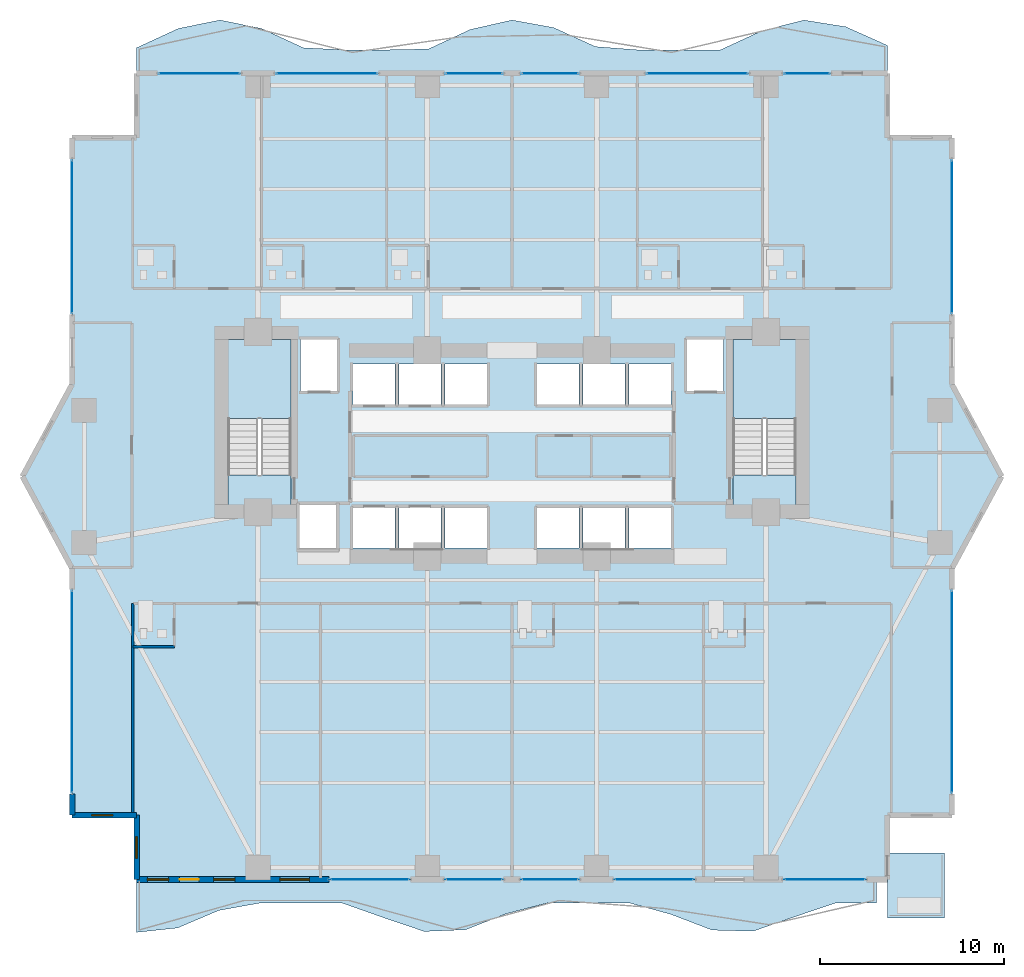
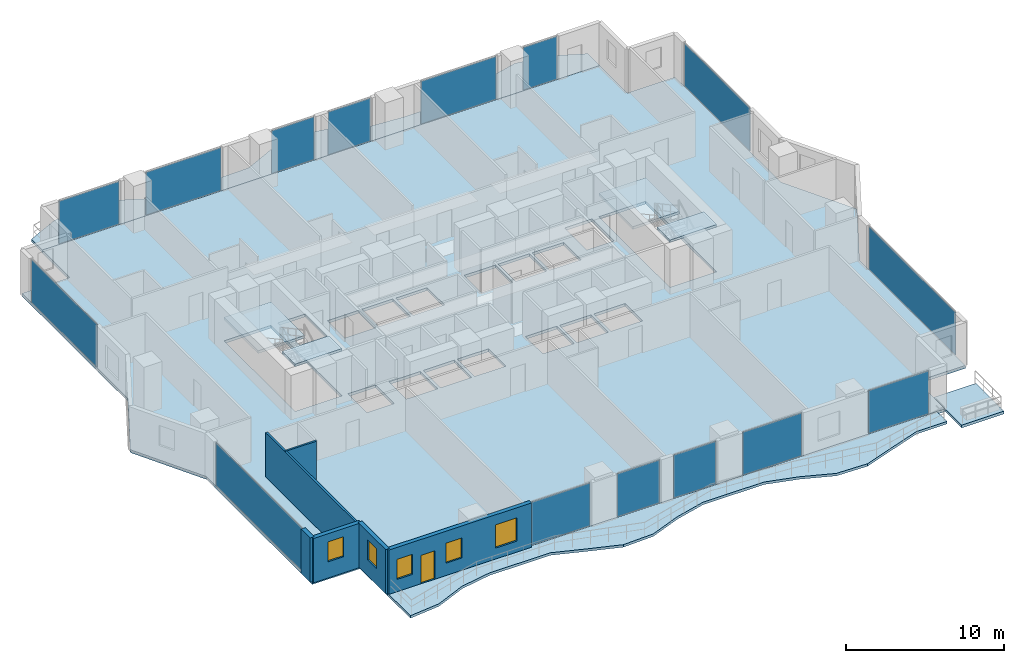
# One storey, part 20 of 30: 15 plates, 8 slabs, 6 walls, 5 windows, 1 door, 6 openings, 17 elements without a shape of their own.
"""IFC4 building model written with IfcOpenShell, lengths in metres."""

from ifc_helpers import new_model, si_unit, direction, frame, frame_2d, origin, origin_2d, place, context, subcontext, project, spatial, polyline, rectangle, outline, extrude, material, layer, layer_set, type_object, element, fill, aggregate, save


model = new_model("IFC4")

# Units and contexts
model_context = context("Model", 3, precision=1e-05, world=origin(), true_north=direction((0.0, 1.0)))
body_context = subcontext(model_context, "Body", "Model", "MODEL_VIEW")
ifc_project = project(units=[si_unit("LENGTHUNIT", "METRE"), si_unit("AREAUNIT", "SQUARE_METRE"), si_unit("VOLUMEUNIT", "CUBIC_METRE"), si_unit("PLANEANGLEUNIT", "RADIAN"), si_unit("MASSUNIT", "GRAM", prefix="KILO")], contexts=[model_context])

# Site, building, storey
site_placement = place(None, origin())
site = spatial("IfcSite", under=ifc_project, at=site_placement, CompositionType="ELEMENT")
building_placement = place(site_placement, origin())
building = spatial("IfcBuilding", under=site, at=building_placement, Name="Zuhayl Quay Hotel", CompositionType="ELEMENT")
storey_placement = place(building_placement, frame((0.0, 0.0, 135.800048828125)))
storey = spatial("IfcBuildingStorey", under=building, at=storey_placement, Name="L34", CompositionType="ELEMENT", Elevation=135.800048828125)

# Curtain wall, plate
ifc_material_1 = material(Name="Anodised Aluminium 6063-T6", Category="aluminium")
ifc_layer_1 = layer(ifc_material_1, 0.179931640625, Name="Anodised Aluminium 6063-T6", Category="aluminium")
ifc_layer_set_1 = layer_set([ifc_layer_1], Name="Anodised Aluminium 6063-T6")
curtain_wall_type = type_object("IfcCurtainWallType", Name="CW_SYS_Z2", PredefinedType="USERDEFINED", material=ifc_layer_set_1)
curtain_wall_1_placement = place(storey_placement, origin())
curtain_wall_1 = element("IfcCurtainWall", 1, at=curtain_wall_1_placement, inside=storey, type_object=curtain_wall_type, Name="L34 Curtain Wall ENV_L34_E02_CW1", ObjectType="UNITISED CURTAIN WALL", PredefinedType="USERDEFINED")
ifc_material_2 = material(Name="Dark Ceramic-Fritted Solar Glass", Category="glass")
ifc_layer_2 = layer(ifc_material_2, 0.035888671875, Name="Dark Ceramic-Fritted Solar Glass", Category="glass")
ifc_layer_set_2 = layer_set([ifc_layer_2], Name="Dark Ceramic-Fritted Solar Glass")
plate_type = type_object("IfcPlateType", Name="PN_DARK_FRIT_Z1", PredefinedType="CURTAIN_PANEL", material=ifc_layer_set_2)
plate_1_placement = place(storey_placement, frame((-23.89990234375, -5.199951171875, 0.059814453125), z_axis=(0.0, 0.0, 1.0), x_axis=(0.0, 1.0, 0.0)))
plate_1 = element("IfcPlate", 2, at=plate_1_placement, type_object=plate_type, Name="CW-Z2 panel 1.1", PredefinedType="CURTAIN_PANEL", context=body_context, shape_type="SweptSolid", body=[
    extrude(rectangle(XDim=10.969970703125, YDim=0.035888671875, at=origin_2d()), origin(), (0.0, 0.0, 1.0), 3.31005859375),
])
aggregate(curtain_wall_1, [plate_1])

curtain_wall_2_placement = place(storey_placement, origin())
curtain_wall_2 = element("IfcCurtainWall", 3, at=curtain_wall_2_placement, inside=storey, type_object=curtain_wall_type, Name="L34 Curtain Wall ENV_L34_E05_CW1", ObjectType="UNITISED CURTAIN WALL", PredefinedType="USERDEFINED")
plate_2_placement = place(storey_placement, frame((-23.89990234375, 19.52490234375, 0.059814453125), z_axis=(0.0, 0.0, 1.0), x_axis=(0.0, 1.0, 0.0)))
plate_2 = element("IfcPlate", 4, at=plate_2_placement, type_object=plate_type, Name="CW-Z2 panel 1.1", PredefinedType="CURTAIN_PANEL", context=body_context, shape_type="SweptSolid", body=[
    extrude(rectangle(XDim=8.320068359375, YDim=0.035888671875, at=origin_2d()), origin(), (0.0, 0.0, 1.0), 3.31005859375),
])
aggregate(curtain_wall_2, [plate_2])

curtain_wall_3_placement = place(storey_placement, origin())
curtain_wall_3 = element("IfcCurtainWall", 5, at=curtain_wall_3_placement, inside=storey, type_object=curtain_wall_type, Name="L34 Curtain Wall ENV_L34_N_CW1", ObjectType="UNITISED CURTAIN WALL", PredefinedType="USERDEFINED")
plate_3_placement = place(storey_placement, frame((-16.985107421875, 28.39990234375, 0.059814453125), z_axis=(0.0, 0.0, 1.0), x_axis=(1.0, 0.0, 0.0)))
plate_3 = element("IfcPlate", 6, at=plate_3_placement, type_object=plate_type, Name="CW-Z2 panel 1.1", PredefinedType="CURTAIN_PANEL", context=body_context, shape_type="SweptSolid", body=[
    extrude(rectangle(XDim=4.39990234375, YDim=0.035888671875, at=origin_2d()), origin(), (0.0, 0.0, 1.0), 3.31005859375),
])
aggregate(curtain_wall_3, [plate_3])

curtain_wall_4_placement = place(storey_placement, origin())
curtain_wall_4 = element("IfcCurtainWall", 7, at=curtain_wall_4_placement, inside=storey, type_object=curtain_wall_type, Name="L34 Curtain Wall ENV_L34_N_CW2", ObjectType="UNITISED CURTAIN WALL", PredefinedType="USERDEFINED")
plate_4_placement = place(storey_placement, frame((-10.06494140625, 28.39990234375, 0.059814453125), z_axis=(0.0, 0.0, 1.0), x_axis=(1.0, 0.0, 0.0)))
plate_4 = element("IfcPlate", 8, at=plate_4_placement, type_object=plate_type, Name="CW-Z2 panel 1.1", PredefinedType="CURTAIN_PANEL", context=body_context, shape_type="SweptSolid", body=[
    extrude(rectangle(XDim=5.5, YDim=0.035888671875, at=origin_2d()), origin(), (0.0, 0.0, 1.0), 3.31005859375),
])
aggregate(curtain_wall_4, [plate_4])

curtain_wall_5_placement = place(storey_placement, origin())
curtain_wall_5 = element("IfcCurtainWall", 9, at=curtain_wall_5_placement, inside=storey, type_object=curtain_wall_type, Name="L34 Curtain Wall ENV_L34_N_CW3", ObjectType="UNITISED CURTAIN WALL", PredefinedType="USERDEFINED")
plate_5_placement = place(storey_placement, frame((-2.06494140625, 28.39990234375, 0.059814453125), z_axis=(0.0, 0.0, 1.0), x_axis=(1.0, 0.0, 0.0)))
plate_5 = element("IfcPlate", 10, at=plate_5_placement, type_object=plate_type, Name="CW-Z2 panel 1.1", PredefinedType="CURTAIN_PANEL", context=body_context, shape_type="SweptSolid", body=[
    extrude(rectangle(XDim=3.10009765625, YDim=0.035888671875, at=origin_2d()), origin(), (0.0, 0.0, 1.0), 3.31005859375),
])
aggregate(curtain_wall_5, [plate_5])

curtain_wall_6_placement = place(storey_placement, origin())
curtain_wall_6 = element("IfcCurtainWall", 11, at=curtain_wall_6_placement, inside=storey, type_object=curtain_wall_type, Name="L34 Curtain Wall ENV_L34_N_CW4", ObjectType="UNITISED CURTAIN WALL", PredefinedType="USERDEFINED")
plate_6_placement = place(storey_placement, frame((2.06494140625, 28.39990234375, 0.059814453125), z_axis=(0.0, 0.0, 1.0), x_axis=(1.0, 0.0, 0.0)))
plate_6 = element("IfcPlate", 12, at=plate_6_placement, type_object=plate_type, Name="CW-Z2 panel 1.1", PredefinedType="CURTAIN_PANEL", context=body_context, shape_type="SweptSolid", body=[
    extrude(rectangle(XDim=3.10009765625, YDim=0.035888671875, at=origin_2d()), origin(), (0.0, 0.0, 1.0), 3.31005859375),
])
aggregate(curtain_wall_6, [plate_6])

curtain_wall_7_placement = place(storey_placement, origin())
curtain_wall_7 = element("IfcCurtainWall", 13, at=curtain_wall_7_placement, inside=storey, type_object=curtain_wall_type, Name="L34 Curtain Wall ENV_L34_N_CW5", ObjectType="UNITISED CURTAIN WALL", PredefinedType="USERDEFINED")
plate_7_placement = place(storey_placement, frame((10.06494140625, 28.39990234375, 0.059814453125), z_axis=(0.0, 0.0, 1.0), x_axis=(1.0, 0.0, 0.0)))
plate_7 = element("IfcPlate", 14, at=plate_7_placement, type_object=plate_type, Name="CW-Z2 panel 1.1", PredefinedType="CURTAIN_PANEL", context=body_context, shape_type="SweptSolid", body=[
    extrude(rectangle(XDim=5.5, YDim=0.035888671875, at=origin_2d()), origin(), (0.0, 0.0, 1.0), 3.31005859375),
])
aggregate(curtain_wall_7, [plate_7])

curtain_wall_8_placement = place(storey_placement, origin())
curtain_wall_8 = element("IfcCurtainWall", 15, at=curtain_wall_8_placement, inside=storey, type_object=curtain_wall_type, Name="L34 Curtain Wall ENV_L34_N_CW6", ObjectType="UNITISED CURTAIN WALL", PredefinedType="USERDEFINED")
plate_8_placement = place(storey_placement, frame((16.0224609375, 28.39990234375, 0.059814453125), z_axis=(0.0, 0.0, 1.0), x_axis=(1.0, 0.0, 0.0)))
plate_8 = element("IfcPlate", 16, at=plate_8_placement, type_object=plate_type, Name="CW-Z2 panel 1.1", PredefinedType="CURTAIN_PANEL", context=body_context, shape_type="SweptSolid", body=[
    extrude(rectangle(XDim=2.47509765625, YDim=0.035888671875, at=origin_2d()), origin(), (0.0, 0.0, 1.0), 3.31005859375),
])
aggregate(curtain_wall_8, [plate_8])

curtain_wall_9_placement = place(storey_placement, origin())
curtain_wall_9 = element("IfcCurtainWall", 17, at=curtain_wall_9_placement, inside=storey, type_object=curtain_wall_type, Name="L34 Curtain Wall ENV_L34_E11_CW1", ObjectType="UNITISED CURTAIN WALL", PredefinedType="USERDEFINED")
plate_9_placement = place(storey_placement, frame((23.89990234375, 19.52490234375, 0.059814453125), z_axis=(0.0, 0.0, 1.0), x_axis=(0.0, -1.0, 0.0)))
plate_9 = element("IfcPlate", 18, at=plate_9_placement, type_object=plate_type, Name="CW-Z2 panel 1.1", PredefinedType="CURTAIN_PANEL", context=body_context, shape_type="SweptSolid", body=[
    extrude(rectangle(XDim=8.320068359375, YDim=0.035888671875, at=origin_2d()), origin(), (0.0, 0.0, 1.0), 3.31005859375),
])
aggregate(curtain_wall_9, [plate_9])

curtain_wall_10_placement = place(storey_placement, origin())
curtain_wall_10 = element("IfcCurtainWall", 19, at=curtain_wall_10_placement, inside=storey, type_object=curtain_wall_type, Name="L34 Curtain Wall ENV_L34_E14_CW1", ObjectType="UNITISED CURTAIN WALL", PredefinedType="USERDEFINED")
plate_10_placement = place(storey_placement, frame((23.89990234375, -5.199951171875, 0.059814453125), z_axis=(0.0, 0.0, 1.0), x_axis=(0.0, -1.0, 0.0)))
plate_10 = element("IfcPlate", 20, at=plate_10_placement, type_object=plate_type, Name="CW-Z2 panel 1.1", PredefinedType="CURTAIN_PANEL", context=body_context, shape_type="SweptSolid", body=[
    extrude(rectangle(XDim=10.969970703125, YDim=0.035888671875, at=origin_2d()), origin(), (0.0, 0.0, 1.0), 3.31005859375),
])
aggregate(curtain_wall_10, [plate_10])

curtain_wall_11_placement = place(storey_placement, origin())
curtain_wall_11 = element("IfcCurtainWall", 21, at=curtain_wall_11_placement, inside=storey, type_object=curtain_wall_type, Name="L34 Curtain Wall ENV_L34_S_CW1", ObjectType="UNITISED CURTAIN WALL", PredefinedType="USERDEFINED")
plate_11_placement = place(storey_placement, frame((16.985107421875, -15.39990234375, 0.059814453125), z_axis=(0.0, 0.0, 1.0), x_axis=(-1.0, 0.0, 0.0)))
plate_11 = element("IfcPlate", 22, at=plate_11_placement, type_object=plate_type, Name="CW-Z2 panel 1.1", PredefinedType="CURTAIN_PANEL", context=body_context, shape_type="SweptSolid", body=[
    extrude(rectangle(XDim=4.39990234375, YDim=0.035888671875, at=origin_2d()), origin(), (0.0, 0.0, 1.0), 3.31005859375),
])
aggregate(curtain_wall_11, [plate_11])

curtain_wall_12_placement = place(storey_placement, origin())
curtain_wall_12 = element("IfcCurtainWall", 23, at=curtain_wall_12_placement, inside=storey, type_object=curtain_wall_type, Name="L34 Curtain Wall ENV_L34_S_CW2", ObjectType="UNITISED CURTAIN WALL", PredefinedType="USERDEFINED")
plate_12_placement = place(storey_placement, frame((7.735107421875, -15.39990234375, 0.059814453125), z_axis=(0.0, 0.0, 1.0), x_axis=(-1.0, 0.0, 0.0)))
plate_12 = element("IfcPlate", 24, at=plate_12_placement, type_object=plate_type, Name="CW-Z2 panel 1.1", PredefinedType="CURTAIN_PANEL", context=body_context, shape_type="SweptSolid", body=[
    extrude(rectangle(XDim=4.300048828125, YDim=0.035888671875, at=origin_2d()), origin(), (0.0, 0.0, 1.0), 3.31005859375),
])
aggregate(curtain_wall_12, [plate_12])

curtain_wall_13_placement = place(storey_placement, origin())
curtain_wall_13 = element("IfcCurtainWall", 25, at=curtain_wall_13_placement, inside=storey, type_object=curtain_wall_type, Name="L34 Curtain Wall ENV_L34_S_CW3", ObjectType="UNITISED CURTAIN WALL", PredefinedType="USERDEFINED")
plate_13_placement = place(storey_placement, frame((2.06494140625, -15.39990234375, 0.059814453125), z_axis=(0.0, 0.0, 1.0), x_axis=(-1.0, 0.0, 0.0)))
plate_13 = element("IfcPlate", 26, at=plate_13_placement, type_object=plate_type, Name="CW-Z2 panel 1.1", PredefinedType="CURTAIN_PANEL", context=body_context, shape_type="SweptSolid", body=[
    extrude(rectangle(XDim=3.10009765625, YDim=0.035888671875, at=origin_2d()), origin(), (0.0, 0.0, 1.0), 3.31005859375),
])
aggregate(curtain_wall_13, [plate_13])

curtain_wall_14_placement = place(storey_placement, origin())
curtain_wall_14 = element("IfcCurtainWall", 27, at=curtain_wall_14_placement, inside=storey, type_object=curtain_wall_type, Name="L34 Curtain Wall ENV_L34_S_CW4", ObjectType="UNITISED CURTAIN WALL", PredefinedType="USERDEFINED")
plate_14_placement = place(storey_placement, frame((-2.06494140625, -15.39990234375, 0.059814453125), z_axis=(0.0, 0.0, 1.0), x_axis=(-1.0, 0.0, 0.0)))
plate_14 = element("IfcPlate", 28, at=plate_14_placement, type_object=plate_type, Name="CW-Z2 panel 1.1", PredefinedType="CURTAIN_PANEL", context=body_context, shape_type="SweptSolid", body=[
    extrude(rectangle(XDim=3.10009765625, YDim=0.035888671875, at=origin_2d()), origin(), (0.0, 0.0, 1.0), 3.31005859375),
])
aggregate(curtain_wall_14, [plate_14])

curtain_wall_15_placement = place(storey_placement, origin())
curtain_wall_15 = element("IfcCurtainWall", 29, at=curtain_wall_15_placement, inside=storey, type_object=curtain_wall_type, Name="L34 Curtain Wall ENV_L34_S_CW5", ObjectType="UNITISED CURTAIN WALL", PredefinedType="USERDEFINED")
plate_15_placement = place(storey_placement, frame((-7.735107421875, -15.39990234375, 0.059814453125), z_axis=(0.0, 0.0, 1.0), x_axis=(-1.0, 0.0, 0.0)))
plate_15 = element("IfcPlate", 30, at=plate_15_placement, type_object=plate_type, Name="CW-Z2 panel 1.1", PredefinedType="CURTAIN_PANEL", context=body_context, shape_type="SweptSolid", body=[
    extrude(rectangle(XDim=4.300048828125, YDim=0.035888671875, at=origin_2d()), origin(), (0.0, 0.0, 1.0), 3.31005859375),
])
aggregate(curtain_wall_15, [plate_15])

# Slabs
ifc_material_3 = material(Name="Concrete C45/55", Category="concrete")
ifc_layer_3 = layer(ifc_material_3, 0.195068359375, Name="Concrete C45/55", Category="concrete")
ifc_layer_set_3 = layer_set([ifc_layer_3], Name="Concrete C45/55")
slab_type_1 = type_object("IfcSlabType", Name="SL_BALCONY_195", PredefinedType="FLOOR", material=ifc_layer_set_3)
slab_1_placement = place(storey_placement, frame((0.0, 0.0, -0.195068359375)))
element("IfcSlab", 31, at=slab_1_placement, inside=storey, type_object=slab_type_1, Name="L34 Exterior Rippling Balcony Slab North", PredefinedType="FLOOR", context=body_context, shape_type="SweptSolid", body=[
    extrude(outline(polyline([(-20.39990234375, 28.39990234375), (20.39990234375, 28.39990234375), (20.39990234375, 29.919189453125), (18.13330078125, 30.933837890625), (15.86669921875, 31.293212890625), (13.60009765625, 30.730712890625), (11.333251953125, 29.679931640625), (9.066650390625, 29.679931640625), (6.800048828125, 29.679931640625), (4.533203125, 29.8544921875), (2.2666015625, 30.886474609375), (0.0, 31.29833984375), (-2.2666015625, 30.78466796875), (-4.533203125, 29.7265625), (-6.800048828125, 29.679931640625), (-9.066650390625, 29.679931640625), (-11.333251953125, 29.7900390625), (-13.60009765625, 30.836669921875), (-15.86669921875, 31.300048828125), (-18.13330078125, 30.836669921875), (-20.39990234375, 29.7900390625), (-20.39990234375, 28.39990234375)])), origin(), (0.0, 0.0, 1.0), 0.195068359375),
])
slab_2_placement = place(storey_placement, frame((0.0, 0.0, -0.195068359375)))
element("IfcSlab", 32, at=slab_2_placement, inside=storey, type_object=slab_type_1, Name="L34 Exterior Rippling Balcony Slab South", PredefinedType="FLOOR", context=body_context, shape_type="SweptSolid", body=[
    extrude(outline(polyline([(-20.39990234375, -18.272705078125), (-18.166748046875, -18.031494140625), (-15.933349609375, -17.082763671875), (-13.699951171875, -16.679931640625), (-11.466796875, -16.679931640625), (-9.2333984375, -16.679931640625), (-7.0, -17.46728515625), (-4.7666015625, -18.22265625), (-2.533203125, -18.132568359375), (-0.300048828125, -17.26171875), (1.933349609375, -16.679931640625), (4.166748046875, -16.679931640625), (6.39990234375, -16.679931640625), (8.63330078125, -17.2939453125), (10.86669921875, -18.1484375), (13.10009765625, -18.2109375), (15.333251953125, -17.436279296875), (17.566650390625, -16.679931640625), (19.800048828125, -16.679931640625), (19.800048828125, -15.39990234375), (-20.39990234375, -15.39990234375), (-20.39990234375, -18.272705078125)])), origin(), (0.0, 0.0, 1.0), 0.195068359375),
])
ifc_layer_4 = layer(ifc_material_3, 0.219970703125, Name="Concrete C45/55", Category="concrete")
ifc_layer_set_4 = layer_set([ifc_layer_4], Name="Concrete C45/55")
slab_type_2 = type_object("IfcSlabType", Name="SL_FLOOR_220", PredefinedType="FLOOR", material=ifc_layer_set_4)
slab_3_placement = place(storey_placement, frame((0.0, 0.0, -0.219970703125)))
element("IfcSlab", 33, at=slab_3_placement, inside=storey, type_object=slab_type_2, Name="L34 Structural Floor Slab", PredefinedType="FLOOR", context=body_context, shape_type="SweptSolid", body=[
    extrude(outline(polyline([(-20.39990234375, -15.39990234375), (20.39990234375, -15.39990234375), (20.39990234375, -11.89990234375), (23.89990234375, -11.89990234375), (23.89990234375, 1.5), (26.60009765625, 6.5), (23.89990234375, 11.5), (23.89990234375, 24.89990234375), (20.39990234375, 24.89990234375), (20.39990234375, 28.39990234375), (-20.39990234375, 28.39990234375), (-20.39990234375, 24.89990234375), (-23.89990234375, 24.89990234375), (-23.89990234375, 11.5), (-26.60009765625, 6.5), (-23.89990234375, 1.5), (-23.89990234375, -11.89990234375), (-20.39990234375, -11.89990234375), (-20.39990234375, -15.39990234375)]), holes=[polyline([(-12.0, 4.949951171875), (-12.0, 13.949951171875), (-15.429931640625, 13.949951171875), (-15.429931640625, 4.949951171875), (-12.0, 4.949951171875)]), polyline([(15.429931640625, 4.949951171875), (15.429931640625, 13.949951171875), (12.0, 13.949951171875), (12.0, 4.949951171875), (15.429931640625, 4.949951171875)]), polyline([(-11.5, 11.14990234375), (-9.5, 11.14990234375), (-9.5, 13.949951171875), (-11.5, 13.949951171875), (-11.5, 11.14990234375)]), polyline([(9.5, 11.14990234375), (11.5, 11.14990234375), (11.5, 13.949951171875), (9.5, 13.949951171875), (9.5, 11.14990234375)]), polyline([(-8.64990234375, 2.60009765625), (-6.35009765625, 2.60009765625), (-6.35009765625, 4.800048828125), (-8.64990234375, 4.800048828125), (-8.64990234375, 2.60009765625)]), polyline([(-6.14990234375, 2.60009765625), (-3.85009765625, 2.60009765625), (-3.85009765625, 4.800048828125), (-6.14990234375, 4.800048828125), (-6.14990234375, 2.60009765625)]), polyline([(-8.64990234375, 10.39990234375), (-6.35009765625, 10.39990234375), (-6.35009765625, 12.60009765625), (-8.64990234375, 12.60009765625), (-8.64990234375, 10.39990234375)]), polyline([(-6.14990234375, 10.39990234375), (-3.85009765625, 10.39990234375), (-3.85009765625, 12.60009765625), (-6.14990234375, 12.60009765625), (-6.14990234375, 10.39990234375)]), polyline([(-3.64990234375, 2.60009765625), (-1.35009765625, 2.60009765625), (-1.35009765625, 4.800048828125), (-3.64990234375, 4.800048828125), (-3.64990234375, 2.60009765625)]), polyline([(1.35009765625, 2.60009765625), (3.64990234375, 2.60009765625), (3.64990234375, 4.800048828125), (1.35009765625, 4.800048828125), (1.35009765625, 2.60009765625)]), polyline([(-3.64990234375, 10.39990234375), (-1.35009765625, 10.39990234375), (-1.35009765625, 12.60009765625), (-3.64990234375, 12.60009765625), (-3.64990234375, 10.39990234375)]), polyline([(1.35009765625, 10.39990234375), (3.64990234375, 10.39990234375), (3.64990234375, 12.60009765625), (1.35009765625, 12.60009765625), (1.35009765625, 10.39990234375)]), polyline([(3.85009765625, 2.60009765625), (6.14990234375, 2.60009765625), (6.14990234375, 4.800048828125), (3.85009765625, 4.800048828125), (3.85009765625, 2.60009765625)]), polyline([(6.35009765625, 2.60009765625), (8.64990234375, 2.60009765625), (8.64990234375, 4.800048828125), (6.35009765625, 4.800048828125), (6.35009765625, 2.60009765625)]), polyline([(3.85009765625, 10.39990234375), (6.14990234375, 10.39990234375), (6.14990234375, 12.60009765625), (3.85009765625, 12.60009765625), (3.85009765625, 10.39990234375)]), polyline([(6.35009765625, 10.39990234375), (8.64990234375, 10.39990234375), (8.64990234375, 12.60009765625), (6.35009765625, 12.60009765625), (6.35009765625, 10.39990234375)]), polyline([(-11.550048828125, 2.550048828125), (-9.550048828125, 2.550048828125), (-9.550048828125, 4.949951171875), (-11.550048828125, 4.949951171875), (-11.550048828125, 2.550048828125)])]), origin(), (0.0, 0.0, 1.0), 0.219970703125),
])

# Stair, slabs
stair_type = type_object("IfcStairType", Name="ST_DOGLEG_TOWER", PredefinedType="HALF_TURN_STAIR", material=ifc_material_3)
stair_1_placement = place(storey_placement, origin())
stair_1 = element("IfcStair", 34, at=stair_1_placement, inside=storey, type_object=stair_type, Name="L34 Smokeproof Exit Stair ST1", PredefinedType="HALF_TURN_STAIR")
ifc_layer_5 = layer(ifc_material_3, 0.199951171875, Name="Concrete C45/55", Category="concrete")
ifc_layer_set_5 = layer_set([ifc_layer_5], Name="Concrete C45/55")
slab_type_3 = type_object("IfcSlabType", Name="SL_STAIR_LANDING_200", PredefinedType="LANDING", material=ifc_layer_set_5)
slab_4_placement = place(storey_placement, frame((0.0, 0.0, 1.625)))
slab_4 = element("IfcSlab", 35, at=slab_4_placement, type_object=slab_type_3, Name="ST1 landing 1", PredefinedType="LANDING", context=body_context, shape_type="SweptSolid", body=[
    extrude(outline(polyline([(-12.0, 9.64990234375), (-12.0, 13.949951171875), (-15.429931640625, 13.949951171875), (-15.429931640625, 9.64990234375), (-12.0, 9.64990234375)])), origin(), (0.0, 0.0, 1.0), 0.199951171875),
])
slab_5_placement = place(storey_placement, frame((0.0, 0.0, 3.449951171875)))
slab_5 = element("IfcSlab", 36, at=slab_5_placement, type_object=slab_type_3, Name="ST1 landing 2", PredefinedType="LANDING", context=body_context, shape_type="SweptSolid", body=[
    extrude(outline(polyline([(-12.0, 4.949951171875), (-12.0, 6.590087890625), (-15.429931640625, 6.590087890625), (-15.429931640625, 4.949951171875), (-12.0, 4.949951171875)])), origin(), (0.0, 0.0, 1.0), 0.199951171875),
])
aggregate(stair_1, [slab_4, slab_5])

stair_2_placement = place(storey_placement, origin())
stair_2 = element("IfcStair", 37, at=stair_2_placement, inside=storey, type_object=stair_type, Name="L34 Smokeproof Exit Stair ST2", PredefinedType="HALF_TURN_STAIR")
slab_6_placement = place(storey_placement, frame((0.0, 0.0, 1.625)))
slab_6 = element("IfcSlab", 38, at=slab_6_placement, type_object=slab_type_3, Name="ST2 landing 1", PredefinedType="LANDING", context=body_context, shape_type="SweptSolid", body=[
    extrude(outline(polyline([(15.429931640625, 9.64990234375), (15.429931640625, 13.949951171875), (12.0, 13.949951171875), (12.0, 9.64990234375), (15.429931640625, 9.64990234375)])), origin(), (0.0, 0.0, 1.0), 0.199951171875),
])
slab_7_placement = place(storey_placement, frame((0.0, 0.0, 3.449951171875)))
slab_7 = element("IfcSlab", 39, at=slab_7_placement, type_object=slab_type_3, Name="ST2 landing 2", PredefinedType="LANDING", context=body_context, shape_type="SweptSolid", body=[
    extrude(outline(polyline([(15.429931640625, 4.949951171875), (15.429931640625, 6.590087890625), (12.0, 6.590087890625), (12.0, 4.949951171875), (15.429931640625, 4.949951171875)])), origin(), (0.0, 0.0, 1.0), 0.199951171875),
])
aggregate(stair_2, [slab_6, slab_7])

# Slab
ifc_layer_6 = layer(ifc_material_3, 0.219970703125, Name="Concrete C45/55", Category="concrete")
ifc_layer_set_6 = layer_set([ifc_layer_6], Name="Concrete C45/55")
slab_type_4 = type_object("IfcSlabType", Name="SL_TERRACE_235", PredefinedType="FLOOR", material=ifc_layer_set_6)
slab_8_placement = place(storey_placement, frame((0.0, 0.0, -0.219970703125)))
element("IfcSlab", 40, at=slab_8_placement, inside=storey, type_object=slab_type_4, Name="L34 Exterior Sky-Terrace Slab L34_SPIRAL_SE", PredefinedType="FLOOR", context=body_context, shape_type="SweptSolid", body=[
    extrude(outline(polyline([(20.39990234375, -17.5), (23.5, -17.5), (23.5, -13.949951171875), (20.39990234375, -13.949951171875), (20.39990234375, -17.5)])), origin(), (0.0, 0.0, 1.0), 0.219970703125),
])

# Wall, opening, window
ifc_material_4 = material(Name="Precast concrete C45/55", Category="concrete")
ifc_layer_7 = layer(ifc_material_4, 0.300048828125, Name="Precast concrete C45/55", Category="concrete")
ifc_layer_set_7 = layer_set([ifc_layer_7], Name="Precast concrete C45/55")
wall_type_1 = type_object("IfcWallType", Name="WL_EXT_300", PredefinedType="STANDARD", material=ifc_layer_set_7)
wall_1_placement = place(storey_placement, frame((-20.39990234375, -11.89990234375, 0.0), z_axis=(0.0, 0.0, 1.0), x_axis=(-1.0, 0.0, 0.0)))
wall_1 = element("IfcWall", 41, at=wall_1_placement, inside=storey, type_object=wall_type_1, Name="L34 Exterior Precast Wall ENV_L34_EW01", PredefinedType="STANDARD", context=body_context, shape_type="SweptSolid", body=[
    extrude(rectangle(XDim=3.5, YDim=0.300048828125, at=frame_2d((1.75, 0.0))), origin(), (0.0, 0.0, 1.0), 3.429931640625),
])
opening_1_placement = place(wall_1_placement, frame((1.284912109375, 0.0, 1.25)))
opening_1 = element("IfcOpeningElement", 42, at=opening_1_placement, cuts=wall_1, Name="Opening W01N", PredefinedType="OPENING", context=body_context, shape_type="SweptSolid", body=[
    extrude(rectangle(XDim=1.14990234375, YDim=1.550048828125, at=frame_2d((0.574951171875, 0.77490234375))), frame((0.0, 0.159912109375, 0.0), z_axis=(0.0, -1.0, 0.0), x_axis=(1.0, 0.0, 0.0)), (0.0, 0.0, 1.0), 0.320068359375),
])
window_type_1 = type_object("IfcWindowType", Name="WN_NOTCH_1350", PartitioningType="SINGLE_PANEL", PredefinedType="WINDOW", material=ifc_material_2)
window_1_placement = place(opening_1_placement, origin())
window_1 = element("IfcWindow", 43, at=window_1_placement, inside=storey, type_object=window_type_1, Name="L34 Corner Notch Window 1", OverallHeight=1.550048828125, OverallWidth=1.14990234375, PartitioningType="SINGLE_PANEL", PredefinedType="WINDOW", context=body_context, shape_type="SweptSolid", body=[
    extrude(rectangle(XDim=1.14990234375, YDim=1.550048828125, at=frame_2d((0.574951171875, 0.77490234375))), frame((0.0, 0.030029296875, 0.0), z_axis=(0.0, -1.0, 0.0), x_axis=(1.0, 0.0, 0.0)), (0.0, 0.0, 1.0), 0.06005859375),
])
fill(opening_1, window_1)

# Wall
wall_2_placement = place(storey_placement, frame((-23.89990234375, -11.89990234375, 0.0), z_axis=(0.0, 0.0, 1.0), x_axis=(0.0, 1.0, 0.0)))
element("IfcWall", 44, at=wall_2_placement, inside=storey, type_object=wall_type_1, Name="L34 Exterior Precast Wall ENV_L34_E02_EW1", PredefinedType="STANDARD", context=body_context, shape_type="SweptSolid", body=[
    extrude(rectangle(XDim=1.14990234375, YDim=0.300048828125, at=frame_2d((0.574951171875, 0.0))), origin(), (0.0, 0.0, 1.0), 3.429931640625),
])

# Wall, openings, door, windows
wall_3_placement = place(storey_placement, frame((-9.949951171875, -15.39990234375, 0.0), z_axis=(0.0, 0.0, 1.0), x_axis=(-1.0, 0.0, 0.0)))
wall_3 = element("IfcWall", 45, at=wall_3_placement, inside=storey, type_object=wall_type_1, Name="L34 Exterior Precast Wall ENV_L34_S_EW6", PredefinedType="STANDARD", context=body_context, shape_type="SweptSolid", body=[
    extrude(rectangle(XDim=10.449951171875, YDim=0.300048828125, at=frame_2d((5.22509765625, 0.0))), origin(), (0.0, 0.0, 1.0), 3.429931640625),
])
opening_2_placement = place(wall_3_placement, frame((7.06494140625, 0.0, 0.0)))
opening_2 = element("IfcOpeningElement", 46, at=opening_2_placement, cuts=wall_3, Name="Opening DG1", PredefinedType="OPENING", context=body_context, shape_type="SweptSolid", body=[
    extrude(rectangle(XDim=1.050048828125, YDim=2.199951171875, at=frame_2d((0.52490234375, 1.10009765625))), frame((0.0, 0.159912109375, 0.0), z_axis=(0.0, -1.0, 0.0), x_axis=(1.0, 0.0, 0.0)), (0.0, 0.0, 1.0), 0.320068359375),
])
opening_3_placement = place(wall_3_placement, frame((1.06005859375, 0.0, 0.85009765625)))
opening_3 = element("IfcOpeningElement", 47, at=opening_3_placement, cuts=wall_3, Name="Opening W01", PredefinedType="OPENING", context=body_context, shape_type="SweptSolid", body=[
    extrude(rectangle(XDim=1.60009765625, YDim=1.800048828125, at=frame_2d((0.800048828125, 0.89990234375))), frame((0.0, 0.159912109375, 0.0), z_axis=(0.0, -1.0, 0.0), x_axis=(1.0, 0.0, 0.0)), (0.0, 0.0, 1.0), 0.320068359375),
])
opening_4_placement = place(wall_3_placement, frame((5.107421875, 0.0, 0.949951171875)))
opening_4 = element("IfcOpeningElement", 48, at=opening_4_placement, cuts=wall_3, Name="Opening W01N", PredefinedType="OPENING", context=body_context, shape_type="SweptSolid", body=[
    extrude(rectangle(XDim=1.14990234375, YDim=1.550048828125, at=frame_2d((0.574951171875, 0.77490234375))), frame((0.0, 0.159912109375, 0.0), z_axis=(0.0, -1.0, 0.0), x_axis=(1.0, 0.0, 0.0)), (0.0, 0.0, 1.0), 0.320068359375),
])
opening_5_placement = place(wall_3_placement, frame((8.71240234375, 0.0, 0.949951171875)))
opening_5 = element("IfcOpeningElement", 49, at=opening_5_placement, cuts=wall_3, Name="Opening W01N", PredefinedType="OPENING", context=body_context, shape_type="SweptSolid", body=[
    extrude(rectangle(XDim=1.14990234375, YDim=1.550048828125, at=frame_2d((0.574951171875, 0.77490234375))), frame((0.0, 0.159912109375, 0.0), z_axis=(0.0, -1.0, 0.0), x_axis=(1.0, 0.0, 0.0)), (0.0, 0.0, 1.0), 0.320068359375),
])
ifc_material_5 = material(Name="Anodised Aluminium and Dark Solar Glass", Category="aluminium")
door_type = type_object("IfcDoorType", Name="DR_EXT_TERR_1050", OperationType="NOTDEFINED", PredefinedType="DOOR", material=ifc_material_5)
door_placement = place(opening_2_placement, origin())
door = element("IfcDoor", 50, at=door_placement, inside=storey, type_object=door_type, Name="L34 South Rippling Balcony Door", OperationType="SINGLE_SWING_RIGHT", OverallHeight=2.199951171875, OverallWidth=1.050048828125, PredefinedType="DOOR", context=body_context, shape_type="SweptSolid", body=[
    extrude(rectangle(XDim=1.050048828125, YDim=2.199951171875, at=frame_2d((0.52490234375, 1.10009765625))), frame((0.0, 0.02490234375, 0.0), z_axis=(0.0, -1.0, 0.0), x_axis=(1.0, 0.0, 0.0)), (0.0, 0.0, 1.0), 0.050048828125),
])
fill(opening_2, door)
window_2_placement = place(opening_4_placement, origin())
window_2 = element("IfcWindow", 51, at=window_2_placement, inside=storey, type_object=window_type_1, Name="L34 Operable Facade Window 6-2", OverallHeight=1.550048828125, OverallWidth=1.14990234375, PartitioningType="SINGLE_PANEL", PredefinedType="WINDOW", context=body_context, shape_type="SweptSolid", body=[
    extrude(rectangle(XDim=1.14990234375, YDim=1.550048828125, at=frame_2d((0.574951171875, 0.77490234375))), frame((0.0, 0.030029296875, 0.0), z_axis=(0.0, -1.0, 0.0), x_axis=(1.0, 0.0, 0.0)), (0.0, 0.0, 1.0), 0.06005859375),
])
fill(opening_4, window_2)
window_3_placement = place(opening_5_placement, origin())
window_3 = element("IfcWindow", 52, at=window_3_placement, inside=storey, type_object=window_type_1, Name="L34 Operable Facade Window 6-3", OverallHeight=1.550048828125, OverallWidth=1.14990234375, PartitioningType="SINGLE_PANEL", PredefinedType="WINDOW", context=body_context, shape_type="SweptSolid", body=[
    extrude(rectangle(XDim=1.14990234375, YDim=1.550048828125, at=frame_2d((0.574951171875, 0.77490234375))), frame((0.0, 0.030029296875, 0.0), z_axis=(0.0, -1.0, 0.0), x_axis=(1.0, 0.0, 0.0)), (0.0, 0.0, 1.0), 0.06005859375),
])
fill(opening_5, window_3)
window_type_2 = type_object("IfcWindowType", Name="WN_OPERABLE_1600", PartitioningType="DOUBLE_PANEL_VERTICAL", PredefinedType="WINDOW", material=ifc_material_2)
window_4_placement = place(opening_3_placement, origin())
window_4 = element("IfcWindow", 53, at=window_4_placement, inside=storey, type_object=window_type_2, Name="L34 Operable Facade Window 6-1", OverallHeight=1.800048828125, OverallWidth=1.60009765625, PartitioningType="SINGLE_PANEL", PredefinedType="WINDOW", context=body_context, shape_type="SweptSolid", body=[
    extrude(rectangle(XDim=1.60009765625, YDim=1.800048828125, at=frame_2d((0.800048828125, 0.89990234375))), frame((0.0, 0.030029296875, 0.0), z_axis=(0.0, -1.0, 0.0), x_axis=(1.0, 0.0, 0.0)), (0.0, 0.0, 1.0), 0.06005859375),
])
fill(opening_3, window_4)

# Wall, opening, window
wall_4_placement = place(storey_placement, frame((-20.39990234375, -15.39990234375, 0.0), z_axis=(0.0, 0.0, 1.0), x_axis=(0.0, 1.0, 0.0)))
wall_4 = element("IfcWall", 54, at=wall_4_placement, inside=storey, type_object=wall_type_1, Name="L34 Exterior Precast Wall ENV_L34_EW18", PredefinedType="STANDARD", context=body_context, shape_type="SweptSolid", body=[
    extrude(rectangle(XDim=3.5, YDim=0.300048828125, at=frame_2d((1.75, 0.0))), origin(), (0.0, 0.0, 1.0), 3.429931640625),
])
opening_6_placement = place(wall_4_placement, frame((1.1650390625, 0.0, 1.25)))
opening_6 = element("IfcOpeningElement", 55, at=opening_6_placement, cuts=wall_4, Name="Opening W01N", PredefinedType="OPENING", context=body_context, shape_type="SweptSolid", body=[
    extrude(rectangle(XDim=1.14990234375, YDim=1.550048828125, at=frame_2d((0.574951171875, 0.77490234375))), frame((0.0, 0.159912109375, 0.0), z_axis=(0.0, -1.0, 0.0), x_axis=(1.0, 0.0, 0.0)), (0.0, 0.0, 1.0), 0.320068359375),
])
window_5_placement = place(opening_6_placement, origin())
window_5 = element("IfcWindow", 56, at=window_5_placement, inside=storey, type_object=window_type_1, Name="L34 Corner Notch Window 18", OverallHeight=1.550048828125, OverallWidth=1.14990234375, PartitioningType="SINGLE_PANEL", PredefinedType="WINDOW", context=body_context, shape_type="SweptSolid", body=[
    extrude(rectangle(XDim=1.14990234375, YDim=1.550048828125, at=frame_2d((0.574951171875, 0.77490234375))), frame((0.0, 0.030029296875, 0.0), z_axis=(0.0, -1.0, 0.0), x_axis=(1.0, 0.0, 0.0)), (0.0, 0.0, 1.0), 0.06005859375),
])
fill(opening_6, window_5)

# Walls
ifc_material_6 = material(Name="Acoustic Gypsum Partition STC-58")
ifc_layer_8 = layer(ifc_material_6, 0.14990234375, Name="Acoustic Gypsum Partition STC-58")
ifc_layer_set_8 = layer_set([ifc_layer_8], Name="Acoustic Gypsum Partition STC-58")
wall_type_2 = type_object("IfcWallType", Name="WL_PART_150", PredefinedType="PARTITIONING", material=ifc_layer_set_8)
wall_5_placement = place(storey_placement, frame((-20.60009765625, -11.89990234375, 0.0), z_axis=(0.0, 0.0, 1.0), x_axis=(0.0, 1.0, 0.0)))
element("IfcWall", 57, at=wall_5_placement, inside=storey, type_object=wall_type_2, Name="L34 Partition IW_L34_SU01_W", PredefinedType="PARTITIONING", context=body_context, shape_type="SweptSolid", body=[
    extrude(rectangle(XDim=11.5, YDim=0.14990234375, at=frame_2d((5.75, 0.0))), origin(), (0.0, 0.0, 1.0), 3.429931640625),
])
ifc_material_7 = material(Name="Moisture-Resistant Sanitarychase Gypsum")
ifc_layer_9 = layer(ifc_material_7, 0.135009765625, Name="Moisture-Resistant Sanitarychase Gypsum")
ifc_layer_set_9 = layer_set([ifc_layer_9], Name="Moisture-Resistant Sanitarychase Gypsum")
wall_type_3 = type_object("IfcWallType", Name="WL_PART_PLUMB_150", PredefinedType="PLUMBINGWALL", material=ifc_layer_set_9)
wall_6_placement = place(storey_placement, frame((-20.60009765625, -2.760009765625, 0.0), z_axis=(0.0, 0.0, 1.0), x_axis=(1.0, 0.0, 0.0)))
element("IfcWall", 58, at=wall_6_placement, inside=storey, type_object=wall_type_3, Name="L34 Partition IW_L34_SU01_BS", PredefinedType="PLUMBINGWALL", context=body_context, shape_type="SweptSolid", body=[
    extrude(rectangle(XDim=2.260009765625, YDim=0.135009765625, at=frame_2d((1.1298828125, 0.0))), origin(), (0.0, 0.0, 1.0), 3.429931640625),
])

save(model, "model.ifc")
